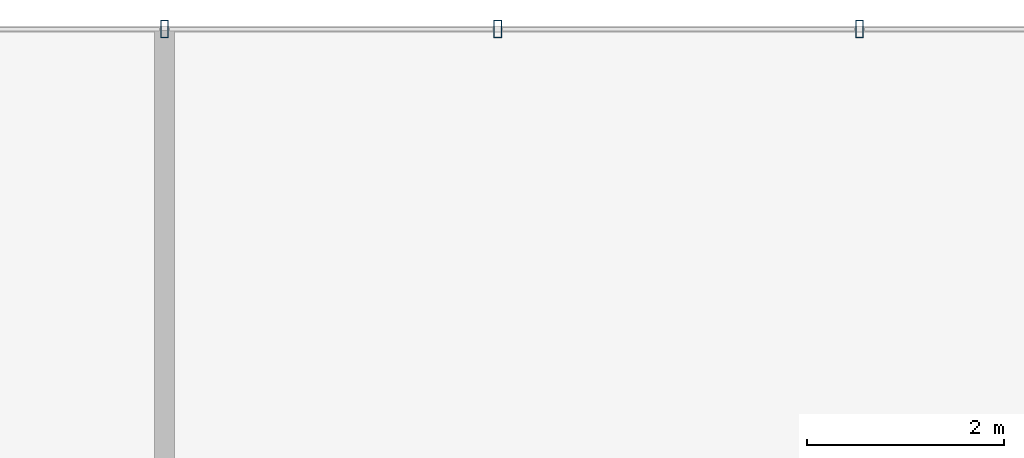
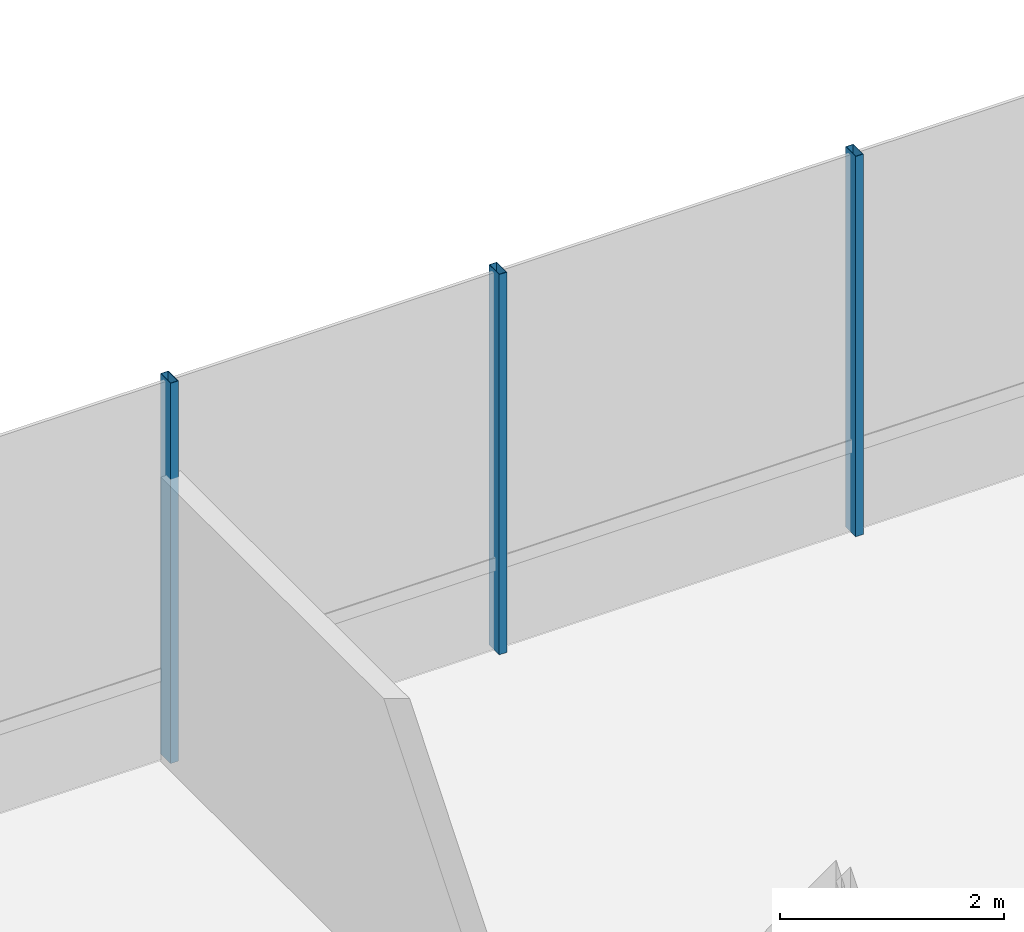
# One storey, part 19 of 37: 3 members, 1 element without a shape of its own.
"""IFC4 building model written with IfcOpenShell, lengths in metres."""

import ifcopenshell
import ifcopenshell.guid

model = None  # the IFC model being written
_history = None  # IfcOwnerHistory: only IFC2X3 demands one
_inside = {}  # id of a spatial element -> (the spatial element, [elements in it])
_under = {}  # id of a project, library or spatial element -> (it, [spatial elements below it])
_declared = {}  # id of a project -> (the project, [libraries it declares])
_typed = {}  # id of a type object -> (the type object, [elements of that type])
_made_of = {}  # id of a material, layer set ... -> (it, [elements and type objects made of it])


def new_model(schema):
    """Start an empty IFC model of exactly this schema.

    Asked for "IFC4X3", IfcOpenShell would pick the latest addendum, in which some entities
    have other attributes; the version numbers below select the first issue.
    IFC2X3 requires an IfcOwnerHistory on every rooted entity: one is made here for all.
    """
    global model, _history
    if schema == "IFC4X3":
        model = ifcopenshell.file(schema_version=(4, 3, 0, 0))
    else:
        model = ifcopenshell.file(schema=schema)
    _inside.clear()
    _under.clear()
    _declared.clear()
    _typed.clear()
    _made_of.clear()
    _history = None
    if model.schema == "IFC2X3":
        org = make("IfcOrganization", Name="unknown")
        user = make(
            "IfcPersonAndOrganization",
            ThePerson=make("IfcPerson", FamilyName="unknown"),
            TheOrganization=org,
        )
        app = make(
            "IfcApplication",
            ApplicationDeveloper=org,
            Version="unknown",
            ApplicationFullName="unknown",
            ApplicationIdentifier="unknown",
        )
        _history = make(
            "IfcOwnerHistory",
            OwningUser=user,
            OwningApplication=app,
            ChangeAction="ADDED",
            CreationDate=0,
        )
    return model


def make(cls, **values):
    """One entity of the class cls with the attributes given. An attribute that is None is left unset."""
    return model.create_entity(
        cls, **{name: value for name, value in values.items() if value is not None}
    )


def rooted(cls, **values):
    """An entity with a GlobalId (a new one), such as an element, a storey or a relation."""
    return make(cls, GlobalId=ifcopenshell.guid.new(), OwnerHistory=_history, **values)


def si_unit(unit_type, name, prefix=None):
    """IfcSIUnit, for example si_unit("LENGTHUNIT", "METRE", prefix="MILLI")."""
    return make("IfcSIUnit", UnitType=unit_type, Prefix=prefix, Name=name)


def assignment(units):
    """IfcUnitAssignment: the units of a project."""
    return None if units is None else make("IfcUnitAssignment", Units=units)


def point(xyz):
    """IfcCartesianPoint."""
    return None if xyz is None else make("IfcCartesianPoint", Coordinates=xyz)


def direction(xyz):
    """IfcDirection."""
    return None if xyz is None else make("IfcDirection", DirectionRatios=xyz)


def frame(location, z_axis=None, x_axis=None):
    """IfcAxis2Placement3D, a coordinate frame: its origin and axes. An axis left out is left unset."""
    return make(
        "IfcAxis2Placement3D",
        Location=point(location),
        Axis=direction(z_axis),
        RefDirection=direction(x_axis),
    )


def frame_2d(location, x_axis=None):
    """IfcAxis2Placement2D, a coordinate frame in the plane: its origin and x axis."""
    return make(
        "IfcAxis2Placement2D", Location=point(location), RefDirection=direction(x_axis)
    )


def origin():
    """The frame at (0, 0, 0) with its axes left unset."""
    return frame((0.0, 0.0, 0.0))


def origin_2d():
    """The frame at (0, 0) in the plane with its x axis left unset."""
    return frame_2d((0.0, 0.0))


def place(relative_to, where):
    """IfcLocalPlacement: puts the frame where relative to a parent placement (None: the world)."""
    return make(
        "IfcLocalPlacement", PlacementRelTo=relative_to, RelativePlacement=where
    )


def context(
    kind, dimensions, precision=None, world=None, true_north=None, identifier=None
):
    """IfcGeometricRepresentationContext, for example the 3D "Model" context."""
    return make(
        "IfcGeometricRepresentationContext",
        ContextIdentifier=identifier,
        ContextType=kind,
        CoordinateSpaceDimension=dimensions,
        Precision=precision,
        WorldCoordinateSystem=world,
        TrueNorth=true_north,
    )


def subcontext(parent, identifier, kind, view, scale=None):
    """IfcGeometricRepresentationSubContext, for example "Body" below "Model"."""
    return make(
        "IfcGeometricRepresentationSubContext",
        ContextIdentifier=identifier,
        ContextType=kind,
        ParentContext=parent,
        TargetScale=scale,
        TargetView=view,
    )


def project(units=None, contexts=None):
    """IfcProject with its units and contexts."""
    return rooted(
        "IfcProject",
        Name="project",
        RepresentationContexts=contexts,
        UnitsInContext=assignment(units),
    )


def spatial(cls, under=None, at=None, **own):
    """A site, building, storey or space (cls), placed at a placement, below another one or the project."""
    s = rooted(cls, ObjectPlacement=at, **own)
    if under is not None:
        _under.setdefault(under.id(), (under, []))[1].append(s)
    return s


def profile(cls, at=None, kind="AREA", **sizes):
    """A parametric profile (cls). Its sizes go by their IFC names, for example OverallWidth=200.0."""
    return make(cls, ProfileType=kind, Position=at, **sizes)


def hollow_rectangle(**sizes):
    """IfcRectangleHollowProfileDef."""
    return profile("IfcRectangleHollowProfileDef", **sizes)


def extrude(swept, where, along, depth):
    """IfcExtrudedAreaSolid: the profile swept, set in the frame where, extruded along a direction by depth."""
    return make(
        "IfcExtrudedAreaSolid",
        SweptArea=swept,
        Position=where,
        ExtrudedDirection=direction(along),
        Depth=depth,
    )


def shape(context_of_items, identifier, shape_type, items):
    """IfcShapeRepresentation: the items that make up one representation, for example the "Body"."""
    return make(
        "IfcShapeRepresentation",
        ContextOfItems=context_of_items,
        RepresentationIdentifier=identifier,
        RepresentationType=shape_type,
        Items=items,
    )


def material(Name=None, Category=None):
    """IfcMaterial."""
    return make("IfcMaterial", Name=Name, Category=Category)


def layer(
    of_material, thickness, ventilated=None, Name=None, Category=None, Priority=None
):
    """IfcMaterialLayer: one layer of a wall or slab, of a material (None: an air gap)."""
    return make(
        "IfcMaterialLayer",
        Material=of_material,
        LayerThickness=thickness,
        IsVentilated=ventilated,
        Name=Name,
        Category=Category,
        Priority=Priority,
    )


def layer_set(layers, Name=None):
    """IfcMaterialLayerSet."""
    return make("IfcMaterialLayerSet", MaterialLayers=layers, LayerSetName=Name)


def material_profile(
    of_material, cross_section, Name=None, Category=None, Priority=None
):
    """IfcMaterialProfile: a cross section and its material."""
    return make(
        "IfcMaterialProfile",
        Name=Name,
        Material=of_material,
        Profile=cross_section,
        Priority=Priority,
        Category=Category,
    )


def profile_set(profiles, Name=None, composite=None):
    """IfcMaterialProfileSet."""
    return make(
        "IfcMaterialProfileSet",
        Name=Name,
        MaterialProfiles=profiles,
        CompositeProfile=composite,
    )


def made_of(thing, what):
    """Note that an element or type object is made of a material, layer set ...; save() writes the relation."""
    if what is not None:
        _made_of.setdefault(what.id(), (what, []))[1].append(thing)
    return thing


def type_object(cls, material=None, **own):
    """A type object (cls), such as IfcWallType, which elements share."""
    return made_of(rooted(cls, **own), material)


def element(
    cls,
    number,
    at=None,
    inside=None,
    cuts=None,
    type_object=None,
    material=None,
    context=None,
    identifier="Body",
    shape_type=None,
    held_by="IfcProductDefinitionShape",
    body=None,
    shapes=None,
    **own,
):
    """One element of the class cls, such as IfcWall. Its Tag is "e" and its number.

    at: its placement. inside: the storey or other place that contains it. cuts: it is an
    opening in that element (IfcRelVoidsElement). A single representation is given by context,
    identifier, shape_type and body (its items); several are given by shapes. held_by: the class
    of the entity that holds the representations. save() writes the other relations.
    """
    e = rooted(cls, Tag="e%d" % number, ObjectPlacement=at, **own)
    if body is not None:
        shapes = [shape(context, identifier, shape_type, body)]
    if shapes is not None:
        e.Representation = make(held_by, Representations=shapes)
    if inside is not None:
        _inside.setdefault(inside.id(), (inside, []))[1].append(e)
    if cuts is not None:
        rooted(
            "IfcRelVoidsElement", RelatingBuildingElement=cuts, RelatedOpeningElement=e
        )
    if type_object is not None:
        _typed.setdefault(type_object.id(), (type_object, []))[1].append(e)
    return made_of(e, material)


def aggregate(whole, parts):
    """IfcRelAggregates: a whole, such as a stair, and the parts it consists of."""
    return rooted("IfcRelAggregates", RelatingObject=whole, RelatedObjects=parts)


def save(model, path):
    """Write the relations noted so far, then the file.

    IfcRelAggregates (storeys below a building ...), IfcRelContainedInSpatialStructure (elements
    in a storey), IfcRelDefinesByType, IfcRelAssociatesMaterial and IfcRelDeclares: one each for
    every whole, place, type object, material and project.
    """
    for whole, parts in _under.values():
        aggregate(whole, parts)
    for where, things in _inside.values():
        rooted(
            "IfcRelContainedInSpatialStructure",
            RelatedElements=things,
            RelatingStructure=where,
        )
    for kind, things in _typed.values():
        rooted("IfcRelDefinesByType", RelatedObjects=things, RelatingType=kind)
    for what, things in _made_of.values():
        rooted("IfcRelAssociatesMaterial", RelatedObjects=things, RelatingMaterial=what)
    for by, libraries in _declared.values():
        rooted("IfcRelDeclares", RelatingContext=by, RelatedDefinitions=libraries)
    model.write(path)


model = new_model("IFC4")

# Units and contexts
model_context = context("Model", 3, precision=1e-05, world=origin(), true_north=direction((0.0, 1.0)))
body_context = subcontext(model_context, "Body", "Model", "MODEL_VIEW")
ifc_project = project(units=[si_unit("LENGTHUNIT", "METRE"), si_unit("AREAUNIT", "SQUARE_METRE"), si_unit("VOLUMEUNIT", "CUBIC_METRE"), si_unit("PLANEANGLEUNIT", "RADIAN"), si_unit("MASSUNIT", "GRAM", prefix="KILO")], contexts=[model_context])

# Site, building, storey
site_placement = place(None, origin())
site = spatial("IfcSite", under=ifc_project, at=site_placement, CompositionType="ELEMENT")
building_placement = place(site_placement, origin())
building = spatial("IfcBuilding", under=site, at=building_placement, Name="Zarrinselat Tower", CompositionType="ELEMENT")
storey_placement = place(building_placement, frame((0.0, 0.0, 13.93994140625)))
storey = spatial("IfcBuildingStorey", under=building, at=storey_placement, Name="L03", CompositionType="ELEMENT", Elevation=13.93994140625)

# Curtain wall, members
ifc_material_1 = material(Name="Extruded Aluminium Alloy EN AW-6063 T6", Category="aluminium")
ifc_layer = layer(ifc_material_1, 0.2099609375)
ifc_layer_set = layer_set([ifc_layer], Name="Extruded Aluminium Alloy EN AW-6063 T6")
curtain_wall_type = type_object("IfcCurtainWallType", Name="CWS-POD", PredefinedType="NOTDEFINED", material=ifc_layer_set)
curtain_wall_placement = place(storey_placement, origin())
curtain_wall = element("IfcCurtainWall", 1, at=curtain_wall_placement, inside=storey, type_object=curtain_wall_type, Name="L03 Unitised Curtain Wall CW-L03-F5", PredefinedType="NOTDEFINED")
ifc_material_2 = material(Name="Extruded Aluminium Alloy EN AW-6063 T6", Category="aluminium")
ifc_material_profile = material_profile(ifc_material_2, hollow_rectangle(XDim=0.080078125, YDim=0.179931640625, WallThickness=0.0048828125, at=origin_2d()), Name="RHS 180x80x5")
ifc_profile_set = profile_set([ifc_material_profile], Name="Extruded Aluminium Alloy EN AW-6063 T6")
member_type = type_object("IfcMemberType", Name="MEM-CW-MUL", PredefinedType="MULLION", material=ifc_profile_set)
member_1_placement = place(storey_placement, frame((25.552978515625, 51.800048828125, 0.0), z_axis=(0.0, 0.0, 1.0), x_axis=(-1.0, 0.0, 0.0)))
member_1 = element("IfcMember", 2, at=member_1_placement, type_object=member_type, Name="CW-L03-F5 Mullion 13", PredefinedType="MULLION", context=body_context, shape_type="SweptSolid", body=[
    extrude(hollow_rectangle(XDim=0.080078125, YDim=0.179931640625, WallThickness=0.0048828125, at=origin_2d()), origin(), (0.0, 0.0, 1.0), 4.14013671875),
])
member_2_placement = place(storey_placement, frame((21.88232421875, 51.800048828125, 0.0), z_axis=(0.0, 0.0, 1.0), x_axis=(-1.0, 0.0, 0.0)))
member_2 = element("IfcMember", 3, at=member_2_placement, type_object=member_type, Name="CW-L03-F5 Mullion 14", PredefinedType="MULLION", context=body_context, shape_type="SweptSolid", body=[
    extrude(hollow_rectangle(XDim=0.080078125, YDim=0.179931640625, WallThickness=0.0048828125, at=origin_2d()), origin(), (0.0, 0.0, 1.0), 4.14013671875),
])
member_3_placement = place(storey_placement, frame((18.5, 51.800048828125, 0.0), z_axis=(0.0, 0.0, 1.0), x_axis=(-1.0, 0.0, 0.0)))
member_3 = element("IfcMember", 4, at=member_3_placement, type_object=member_type, Name="CW-L03-F5 Mullion 15", PredefinedType="MULLION", context=body_context, shape_type="SweptSolid", body=[
    extrude(hollow_rectangle(XDim=0.080078125, YDim=0.179931640625, WallThickness=0.0048828125, at=origin_2d()), origin(), (0.0, 0.0, 1.0), 4.14013671875),
])
aggregate(curtain_wall, [member_1, member_2, member_3])

save(model, "model.ifc")
